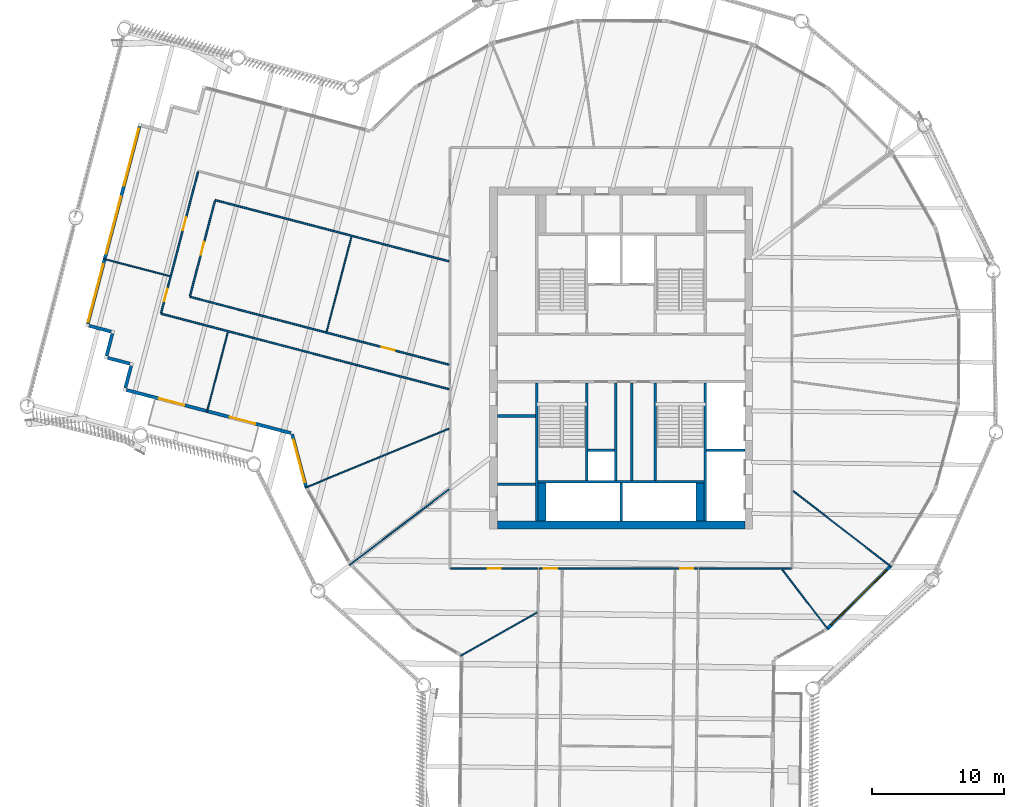
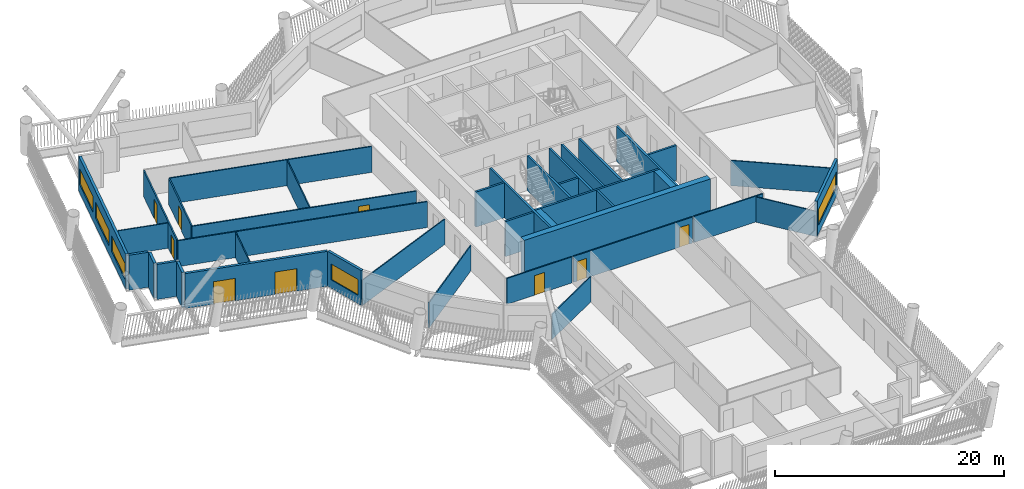
# One storey, part 4 of 21: 39 walls, 9 doors, 5 windows, 14 openings.
"""IFC4 building model written with IfcOpenShell, lengths in metres."""

from ifc_helpers import new_model, si_unit, direction, frame, frame_2d, origin, place, context, subcontext, project, spatial, rectangle, extrude, material, layer, layer_set, type_object, element, fill, save


model = new_model("IFC4")

# Units and contexts
model_context = context("Model", 3, precision=1e-05, world=origin(), true_north=direction((0.0, 1.0)))
body_context = subcontext(model_context, "Body", "Model", "MODEL_VIEW")
ifc_project = project(units=[si_unit("LENGTHUNIT", "METRE"), si_unit("AREAUNIT", "SQUARE_METRE"), si_unit("VOLUMEUNIT", "CUBIC_METRE"), si_unit("PLANEANGLEUNIT", "RADIAN"), si_unit("MASSUNIT", "GRAM", prefix="KILO")], contexts=[model_context])

# Site, building, storey
site_placement = place(None, origin())
site = spatial("IfcSite", under=ifc_project, at=site_placement, CompositionType="ELEMENT")
building_placement = place(site_placement, origin())
building = spatial("IfcBuilding", under=site, at=building_placement, Name="Tarsis Ring Headquarters", CompositionType="ELEMENT")
storey_placement = place(building_placement, frame((0.0, 0.0, 223.800048828125)))
storey = spatial("IfcBuildingStorey", under=building, at=storey_placement, Name="L52", CompositionType="ELEMENT", Elevation=223.800048828125)

# Walls
ifc_material_1 = material(Name="Blockwork", Category="masonry")
ifc_layer_1 = layer(ifc_material_1, 0.199951171875)
ifc_layer_set_1 = layer_set([ifc_layer_1], Name="Core blockwork wall 200")
wall_type_1 = type_object("IfcWallType", Name="Core blockwork wall 200", PredefinedType="PARTITIONING", material=ifc_layer_set_1)
for number, where, z_axis, x_axis, name in (
    (1, (-9.39990234375, -9.60009765625, 0.0), (0.0, 0.0, 1.0), (1.0, 0.0, 0.0), "Core partition WD1"),
    (2, (-9.39990234375, -4.39990234375, 0.0), (0.0, 0.0, 1.0), (1.0, 0.0, 0.0), "Core partition WD3"),
):
    element("IfcWall", number, at=place(storey_placement, frame(where, z_axis=z_axis, x_axis=x_axis)), inside=storey, type_object=wall_type_1, Name=name, PredefinedType="PARTITIONING", context=body_context, shape_type="SweptSolid", body=[
        extrude(rectangle(XDim=2.89990234375, YDim=0.199951171875, at=frame_2d((1.449951171875, 0.0))), origin(), (0.0, 0.0, 1.0), 3.739990234375),
    ])
wall_1_placement = place(storey_placement, frame((-2.5, -7.0, 0.0), z_axis=(0.0, 0.0, 1.0), x_axis=(1.0, 0.0, 0.0)))
element("IfcWall", 3, at=wall_1_placement, inside=storey, type_object=wall_type_1, Name="Core partition SP1", PredefinedType="PARTITIONING", context=body_context, shape_type="SweptSolid", body=[
    extrude(rectangle(XDim=2.0, YDim=0.199951171875, at=frame_2d((1.0, 0.0))), origin(), (0.0, 0.0, 1.0), 3.739990234375),
])
for number, where, z_axis, x_axis, name in (
    (4, (-0.39990234375, -9.300048828125, 0.0), (0.0, 0.0, 1.0), (0.0, 1.0, 0.0), "Core partition SV1"),
    (5, (0.800048828125, -9.300048828125, 0.0), (0.0, 0.0, 1.0), (0.0, 1.0, 0.0), "Core partition SV2"),
):
    element("IfcWall", number, at=place(storey_placement, frame(where, z_axis=z_axis, x_axis=x_axis)), inside=storey, type_object=wall_type_1, Name=name, PredefinedType="PARTITIONING", context=body_context, shape_type="SweptSolid", body=[
        extrude(rectangle(XDim=7.400146484375, YDim=0.199951171875, at=frame_2d((3.7001953125, 0.0))), origin(), (0.0, 0.0, 1.0), 3.739990234375),
    ])
ifc_material_2 = material(Name="Concrete C50/60", Category="concrete")
ifc_layer_2 = layer(ifc_material_2, 0.60009765625)
ifc_layer_set_2 = layer_set([ifc_layer_2], Name="Core wall 600 C50/60")
wall_type_2 = type_object("IfcWallType", Name="Core wall 600 C50/60", PredefinedType="SHEAR", material=ifc_layer_set_2)
wall_2_placement = place(storey_placement, frame((-9.39990234375, -12.699951171875, 0.0), z_axis=(0.0, 0.0, 1.0), x_axis=(1.0, 0.0, 0.0)))
element("IfcWall", 6, at=wall_2_placement, inside=storey, type_object=wall_type_2, Name="Core wall OS", PredefinedType="SHEAR", context=body_context, shape_type="SweptSolid", body=[
    extrude(rectangle(XDim=18.7998046875, YDim=0.60009765625, at=frame_2d((9.39990234375, 0.0))), origin(), (0.0, 0.0, 1.0), 3.739990234375),
])
ifc_material_3 = material(Name="Gypsum board on steel studs", Category="steel")
ifc_layer_3 = layer(ifc_material_3, 0.10009765625)
ifc_layer_set_3 = layer_set([ifc_layer_3], Name="FL partition 100 unrated")
wall_type_3 = type_object("IfcWallType", Name="FL partition 100 unrated", PredefinedType="PARTITIONING", material=ifc_layer_set_3)
wall_3_placement = place(storey_placement, frame((-24.00390625, -9.8544921875, 0.0), z_axis=(0.0, 0.0, 1.0), x_axis=(0.925079846273, 0.379772666235, 0.0)))
element("IfcWall", 7, at=wall_3_placement, inside=storey, type_object=wall_type_3, Name="Partition PW3", PredefinedType="PARTITIONING", context=body_context, shape_type="SweptSolid", body=[
    extrude(rectangle(XDim=11.815185546875, YDim=0.10009765625, at=frame_2d((5.90771484375, 0.0))), origin(), (0.0, 0.0, 1.0), 2.699951171875),
])
wall_4_placement = place(storey_placement, frame((-20.63525390625, -15.731201171875, 0.0), z_axis=(0.0, 0.0, 1.0), x_axis=(0.79526357284, 0.606263844966, 0.0)))
element("IfcWall", 8, at=wall_4_placement, inside=storey, type_object=wall_type_3, Name="Partition PW3", PredefinedType="PARTITIONING", context=body_context, shape_type="SweptSolid", body=[
    extrude(rectangle(XDim=9.500732421875, YDim=0.10009765625, at=frame_2d((4.75048828125, 0.0))), origin(), (0.0, 0.0, 1.0), 2.699951171875),
])
wall_5_placement = place(storey_placement, frame((13.087158203125, -10.107421875, 0.0), z_axis=(0.0, 0.0, 1.0), x_axis=(0.79143158726, -0.611257754705, 0.0)))
element("IfcWall", 9, at=wall_5_placement, inside=storey, type_object=wall_type_3, Name="Partition PW3", PredefinedType="PARTITIONING", context=body_context, shape_type="SweptSolid", body=[
    extrude(rectangle(XDim=9.412109375, YDim=0.10009765625, at=frame_2d((4.7060546875, 0.0))), origin(), (0.0, 0.0, 1.0), 2.699951171875),
])
wall_6_placement = place(storey_placement, frame((-22.3818359375, 2.007568359375, 0.0), z_axis=(0.0, 0.0, 1.0), x_axis=(0.253400955072, 0.967361336817, 0.0)))
element("IfcWall", 10, at=wall_6_placement, inside=storey, type_object=wall_type_3, Name="Partition PW3", PredefinedType="PARTITIONING", context=body_context, shape_type="SweptSolid", body=[
    extrude(rectangle(XDim=7.4599609375, YDim=0.10009765625, at=frame_2d((3.72998046875, 0.0))), origin(), (0.0, 0.0, 1.0), 2.699951171875),
])
wall_7_placement = place(storey_placement, frame((-12.194580078125, -22.635986328125, 0.0), z_axis=(0.0, 0.0, 1.0), x_axis=(0.869772061537, 0.493453707018, 0.0)))
element("IfcWall", 11, at=wall_7_placement, inside=storey, type_object=wall_type_3, Name="Partition PW3", PredefinedType="PARTITIONING", context=body_context, shape_type="SweptSolid", body=[
    extrude(rectangle(XDim=6.673828125, YDim=0.10009765625, at=frame_2d((3.3369140625, 0.0))), origin(), (0.0, 0.0, 1.0), 2.699951171875),
])
wall_8_placement = place(storey_placement, frame((-31.478271484375, -4.106689453125, 0.0), z_axis=(0.0, 0.0, 1.0), x_axis=(0.253433018438, 0.967352937229, 0.0)))
element("IfcWall", 12, at=wall_8_placement, inside=storey, type_object=wall_type_3, Name="Partition PW3", PredefinedType="PARTITIONING", context=body_context, shape_type="SweptSolid", body=[
    extrude(rectangle(XDim=6.280029296875, YDim=0.10009765625, at=frame_2d((3.14013671875, 0.0))), origin(), (0.0, 0.0, 1.0), 2.699951171875),
])
wall_9_placement = place(storey_placement, frame((12.25830078125, -16.07958984375, 0.0), z_axis=(0.0, 0.0, 1.0), x_axis=(0.606255065764, -0.79527026553, 0.0)))
element("IfcWall", 13, at=wall_9_placement, inside=storey, type_object=wall_type_3, Name="Partition PW3", PredefinedType="PARTITIONING", context=body_context, shape_type="SweptSolid", body=[
    extrude(rectangle(XDim=5.728515625, YDim=0.10009765625, at=frame_2d((2.8642578125, 0.0))), origin(), (0.0, 0.0, 1.0), 2.699951171875),
])
wall_10_placement = place(storey_placement, frame((-39.322509765625, 7.541259765625, 0.0), z_axis=(0.0, 0.0, 1.0), x_axis=(0.967358496365, -0.253411798284, 0.0)))
element("IfcWall", 14, at=wall_10_placement, inside=storey, type_object=wall_type_3, Name="Partition PW3", PredefinedType="PARTITIONING", context=body_context, shape_type="SweptSolid", body=[
    extrude(rectangle(XDim=5.18994140625, YDim=0.10009765625, at=frame_2d((2.594970703125, 0.0))), origin(), (0.0, 0.0, 1.0), 2.699951171875),
])

# Wall, opening, door
ifc_layer_4 = layer(ifc_material_3, 0.125)
ifc_layer_set_4 = layer_set([ifc_layer_4], Name="FL partition 125 EI 60 H2770")
wall_type_4 = type_object("IfcWallType", Name="FL partition 125 EI 60 H2770", PredefinedType="PARTITIONING", material=ifc_layer_set_4)
wall_11_placement = place(storey_placement, frame((-12.93994140625, -16.0, 0.0), z_axis=(0.0, 0.0, 1.0), x_axis=(1.0, 0.0, 0.0)))
wall_11 = element("IfcWall", 15, at=wall_11_placement, inside=storey, type_object=wall_type_4, Name="Partition PW1", PredefinedType="PARTITIONING", context=body_context, shape_type="SweptSolid", body=[
    extrude(rectangle(XDim=6.6064453125, YDim=0.125, at=frame_2d((3.30322265625, 0.0))), origin(), (0.0, 0.0, 1.0), 2.77001953125),
])
opening_1_placement = place(wall_11_placement, frame((2.8046875, 0.0, 0.0)))
opening_1 = element("IfcOpeningElement", 16, at=opening_1_placement, cuts=wall_11, Name="Opening D52.16", PredefinedType="OPENING", context=body_context, shape_type="SweptSolid", body=[
    extrude(rectangle(XDim=1.0, YDim=2.10009765625, at=frame_2d((0.5, 1.050048828125))), frame((0.0, 0.072509765625, 0.0), z_axis=(0.0, -1.0, 0.0), x_axis=(1.0, 0.0, 0.0)), (0.0, 0.0, 1.0), 0.14501953125),
])
ifc_material_4 = material(Name="Fire-rated timber door leaf in steel frame", Category="steel")
door_type_1 = type_object("IfcDoorType", Name="FL door FD60-1000", OperationType="NOTDEFINED", PredefinedType="DOOR", material=ifc_material_4)
door_1_placement = place(opening_1_placement, origin())
door_1 = element("IfcDoor", 17, at=door_1_placement, inside=storey, type_object=door_type_1, Name="Door D52.16", OperationType="SINGLE_SWING_RIGHT", OverallHeight=2.10009765625, OverallWidth=1.0, PredefinedType="DOOR", context=body_context, shape_type="SweptSolid", body=[
    extrude(rectangle(XDim=1.0, YDim=2.10009765625, at=frame_2d((0.5, 1.050048828125))), frame((0.0, 0.02490234375, 0.0), z_axis=(0.0, -1.0, 0.0), x_axis=(1.0, 0.0, 0.0)), (0.0, 0.0, 1.0), 0.050048828125),
])
fill(opening_1, door_1)

# Wall, openings, doors
wall_12_placement = place(storey_placement, frame((-6.207763671875, -16.0, 0.0), z_axis=(0.0, 0.0, 1.0), x_axis=(1.0, 0.0, 0.0)))
wall_12 = element("IfcWall", 18, at=wall_12_placement, inside=storey, type_object=wall_type_4, Name="Partition PW1", PredefinedType="PARTITIONING", context=body_context, shape_type="SweptSolid", body=[
    extrude(rectangle(XDim=12.03515625, YDim=0.125, at=frame_2d((6.017578125, 0.0))), origin(), (0.0, 0.0, 1.0), 2.77001953125),
])
opening_2_placement = place(wall_12_placement, frame((0.337646484375, 0.0, 0.0)))
opening_2 = element("IfcOpeningElement", 19, at=opening_2_placement, cuts=wall_12, Name="Opening D52.23", PredefinedType="OPENING", context=body_context, shape_type="SweptSolid", body=[
    extrude(rectangle(XDim=1.0, YDim=2.10009765625, at=frame_2d((0.5, 1.050048828125))), frame((0.0, 0.072509765625, 0.0), z_axis=(0.0, -1.0, 0.0), x_axis=(1.0, 0.0, 0.0)), (0.0, 0.0, 1.0), 0.14501953125),
])
opening_3_placement = place(wall_12_placement, frame((10.6982421875, 0.0, 0.0)))
opening_3 = element("IfcOpeningElement", 20, at=opening_3_placement, cuts=wall_12, Name="Opening D52.24", PredefinedType="OPENING", context=body_context, shape_type="SweptSolid", body=[
    extrude(rectangle(XDim=1.0, YDim=2.10009765625, at=frame_2d((0.5, 1.050048828125))), frame((0.0, 0.072509765625, 0.0), z_axis=(0.0, -1.0, 0.0), x_axis=(1.0, 0.0, 0.0)), (0.0, 0.0, 1.0), 0.14501953125),
])
door_2_placement = place(opening_2_placement, origin())
door_2 = element("IfcDoor", 21, at=door_2_placement, inside=storey, type_object=door_type_1, Name="Door D52.23", OperationType="SINGLE_SWING_LEFT", OverallHeight=2.10009765625, OverallWidth=1.0, PredefinedType="DOOR", context=body_context, shape_type="SweptSolid", body=[
    extrude(rectangle(XDim=1.0, YDim=2.10009765625, at=frame_2d((0.5, 1.050048828125))), frame((0.0, 0.02490234375, 0.0), z_axis=(0.0, -1.0, 0.0), x_axis=(1.0, 0.0, 0.0)), (0.0, 0.0, 1.0), 0.050048828125),
])
fill(opening_2, door_2)
door_3_placement = place(opening_3_placement, origin())
door_3 = element("IfcDoor", 22, at=door_3_placement, inside=storey, type_object=door_type_1, Name="Door D52.24", OperationType="SINGLE_SWING_RIGHT", OverallHeight=2.10009765625, OverallWidth=1.0, PredefinedType="DOOR", context=body_context, shape_type="SweptSolid", body=[
    extrude(rectangle(XDim=1.0, YDim=2.10009765625, at=frame_2d((0.5, 1.050048828125))), frame((0.0, 0.02490234375, 0.0), z_axis=(0.0, -1.0, 0.0), x_axis=(1.0, 0.0, 0.0)), (0.0, 0.0, 1.0), 0.050048828125),
])
fill(opening_3, door_3)

# Walls
wall_13_placement = place(storey_placement, frame((5.952880859375, -16.0, 0.0), z_axis=(0.0, 0.0, 1.0), x_axis=(1.0, 0.0, 0.0)))
element("IfcWall", 23, at=wall_13_placement, inside=storey, type_object=wall_type_4, Name="Partition PW1", PredefinedType="PARTITIONING", context=body_context, shape_type="SweptSolid", body=[
    extrude(rectangle(XDim=6.987060546875, YDim=0.125, at=frame_2d((3.49365234375, 0.0))), origin(), (0.0, 0.0, 1.0), 2.77001953125),
])
wall_14_placement = place(storey_placement, frame((-34.976806640625, 3.3740234375, 0.0), z_axis=(0.0, 0.0, 1.0), x_axis=(0.9673559848, -0.253421385583, 0.0)))
element("IfcWall", 24, at=wall_14_placement, inside=storey, type_object=wall_type_4, Name="Partition PW1", PredefinedType="PARTITIONING", context=body_context, shape_type="SweptSolid", body=[
    extrude(rectangle(XDim=22.638427734375, YDim=0.125, at=frame_2d((11.3193359375, 0.0))), origin(), (0.0, 0.0, 1.0), 2.77001953125),
])

# Wall, opening, door
wall_15_placement = place(storey_placement, frame((-32.779296875, 4.658935546875, 0.0), z_axis=(0.0, 0.0, 1.0), x_axis=(0.967358861183, -0.253410405648, 0.0)))
wall_15 = element("IfcWall", 25, at=wall_15_placement, inside=storey, type_object=wall_type_4, Name="Partition PW1", PredefinedType="PARTITIONING", context=body_context, shape_type="SweptSolid", body=[
    extrude(rectangle(XDim=20.36669921875, YDim=0.125, at=frame_2d((10.183349609375, 0.0))), origin(), (0.0, 0.0, 1.0), 2.77001953125),
])
opening_4_placement = place(wall_15_placement, frame((15.09033203125, 0.0, 0.0)))
opening_4 = element("IfcOpeningElement", 26, at=opening_4_placement, cuts=wall_15, Name="Opening D52.19", PredefinedType="OPENING", context=body_context, shape_type="SweptSolid", body=[
    extrude(rectangle(XDim=1.0, YDim=2.10009765625, at=frame_2d((0.5, 1.050048828125))), frame((0.0, 0.072509765625, 0.0), z_axis=(0.0, -1.0, 0.0), x_axis=(1.0, 0.0, 0.0)), (0.0, 0.0, 1.0), 0.14501953125),
])
door_4_placement = place(opening_4_placement, origin())
door_4 = element("IfcDoor", 27, at=door_4_placement, inside=storey, type_object=door_type_1, Name="Door D52.19", OperationType="SINGLE_SWING_LEFT", OverallHeight=2.10009765625, OverallWidth=1.0, PredefinedType="DOOR", context=body_context, shape_type="SweptSolid", body=[
    extrude(rectangle(XDim=1.0, YDim=2.10009765625, at=frame_2d((0.5, 1.050048828125))), frame((0.0, 0.02490234375, 0.0), z_axis=(0.0, -1.0, 0.0), x_axis=(1.0, 0.0, 0.0)), (0.0, 0.0, 1.0), 0.050048828125),
])
fill(opening_4, door_4)

# Wall
wall_16_placement = place(storey_placement, frame((-30.853515625, 12.010986328125, 0.0), z_axis=(0.0, 0.0, 1.0), x_axis=(0.967354466627, -0.253427180658, 0.0)))
element("IfcWall", 28, at=wall_16_placement, inside=storey, type_object=wall_type_4, Name="Partition PW1", PredefinedType="PARTITIONING", context=body_context, shape_type="SweptSolid", body=[
    extrude(rectangle(XDim=18.3759765625, YDim=0.125, at=frame_2d((9.18798828125, 0.0))), origin(), (0.0, 0.0, 1.0), 2.77001953125),
])

# Wall, openings, doors
wall_17_placement = place(storey_placement, frame((-34.96142578125, 3.431884765625, 0.0), z_axis=(0.0, 0.0, 1.0), x_axis=(0.253412904235, 0.967358206647, 0.0)))
wall_17 = element("IfcWall", 29, at=wall_17_placement, inside=storey, type_object=wall_type_4, Name="Partition PW1", PredefinedType="PARTITIONING", context=body_context, shape_type="SweptSolid", body=[
    extrude(rectangle(XDim=11.080078125, YDim=0.125, at=frame_2d((5.5400390625, 0.0))), origin(), (0.0, 0.0, 1.0), 2.77001953125),
])
opening_5_placement = place(wall_17_placement, frame((0.90673828125, 0.0, 0.0)))
opening_5 = element("IfcOpeningElement", 30, at=opening_5_placement, cuts=wall_17, Name="Opening D52.01", PredefinedType="OPENING", context=body_context, shape_type="SweptSolid", body=[
    extrude(rectangle(XDim=1.0, YDim=2.10009765625, at=frame_2d((0.5, 1.050048828125))), frame((0.0, 0.072509765625, 0.0), z_axis=(0.0, -1.0, 0.0), x_axis=(1.0, 0.0, 0.0)), (0.0, 0.0, 1.0), 0.14501953125),
])
opening_6_placement = place(wall_17_placement, frame((6.506591796875, 0.0, 0.0)))
opening_6 = element("IfcOpeningElement", 31, at=opening_6_placement, cuts=wall_17, Name="Opening D52.02", PredefinedType="OPENING", context=body_context, shape_type="SweptSolid", body=[
    extrude(rectangle(XDim=1.0, YDim=2.10009765625, at=frame_2d((0.5, 1.050048828125))), frame((0.0, 0.072509765625, 0.0), z_axis=(0.0, -1.0, 0.0), x_axis=(1.0, 0.0, 0.0)), (0.0, 0.0, 1.0), 0.14501953125),
])
door_5_placement = place(opening_5_placement, origin())
door_5 = element("IfcDoor", 32, at=door_5_placement, inside=storey, type_object=door_type_1, Name="Door D52.01", OperationType="SINGLE_SWING_LEFT", OverallHeight=2.10009765625, OverallWidth=1.0, PredefinedType="DOOR", context=body_context, shape_type="SweptSolid", body=[
    extrude(rectangle(XDim=1.0, YDim=2.10009765625, at=frame_2d((0.5, 1.050048828125))), frame((0.0, 0.02490234375, 0.0), z_axis=(0.0, -1.0, 0.0), x_axis=(1.0, 0.0, 0.0)), (0.0, 0.0, 1.0), 0.050048828125),
])
fill(opening_5, door_5)
door_6_placement = place(opening_6_placement, origin())
door_6 = element("IfcDoor", 33, at=door_6_placement, inside=storey, type_object=door_type_1, Name="Door D52.02", OperationType="SINGLE_SWING_RIGHT", OverallHeight=2.10009765625, OverallWidth=1.0, PredefinedType="DOOR", context=body_context, shape_type="SweptSolid", body=[
    extrude(rectangle(XDim=1.0, YDim=2.10009765625, at=frame_2d((0.5, 1.050048828125))), frame((0.0, 0.02490234375, 0.0), z_axis=(0.0, -1.0, 0.0), x_axis=(1.0, 0.0, 0.0)), (0.0, 0.0, 1.0), 0.050048828125),
])
fill(opening_6, door_6)

# Wall, opening, door
wall_18_placement = place(storey_placement, frame((-32.76416015625, 4.717041015625, 0.0), z_axis=(0.0, 0.0, 1.0), x_axis=(0.253410298159, 0.967358889341, 0.0)))
wall_18 = element("IfcWall", 34, at=wall_18_placement, inside=storey, type_object=wall_type_4, Name="Partition PW1", PredefinedType="PARTITIONING", context=body_context, shape_type="SweptSolid", body=[
    extrude(rectangle(XDim=7.47998046875, YDim=0.125, at=frame_2d((3.739990234375, 0.0))), origin(), (0.0, 0.0, 1.0), 2.77001953125),
])
opening_7_placement = place(wall_18_placement, frame((3.239990234375, 0.0, 0.0)))
opening_7 = element("IfcOpeningElement", 35, at=opening_7_placement, cuts=wall_18, Name="Opening D52.20", PredefinedType="OPENING", context=body_context, shape_type="SweptSolid", body=[
    extrude(rectangle(XDim=1.0, YDim=2.10009765625, at=frame_2d((0.5, 1.050048828125))), frame((0.0, 0.072509765625, 0.0), z_axis=(0.0, -1.0, 0.0), x_axis=(1.0, 0.0, 0.0)), (0.0, 0.0, 1.0), 0.14501953125),
])
door_7_placement = place(opening_7_placement, origin())
door_7 = element("IfcDoor", 36, at=door_7_placement, inside=storey, type_object=door_type_1, Name="Door D52.20", OperationType="SINGLE_SWING_RIGHT", OverallHeight=2.10009765625, OverallWidth=1.0, PredefinedType="DOOR", context=body_context, shape_type="SweptSolid", body=[
    extrude(rectangle(XDim=1.0, YDim=2.10009765625, at=frame_2d((0.5, 1.050048828125))), frame((0.0, 0.02490234375, 0.0), z_axis=(0.0, -1.0, 0.0), x_axis=(1.0, 0.0, 0.0)), (0.0, 0.0, 1.0), 0.050048828125),
])
fill(opening_7, door_7)

# Wall, openings, doors
ifc_material_5 = material(Name="Terracotta clad insulated panel wall", Category="masonry")
ifc_layer_5 = layer(ifc_material_5, 0.25)
ifc_layer_set_5 = layer_set([ifc_layer_5], Name="Facade wall terracotta panel 250")
wall_type_5 = type_object("IfcWallType", Name="Facade wall terracotta panel 250", PredefinedType="STANDARD", material=ifc_layer_set_5)
wall_19_placement = place(storey_placement, frame((-37.59228515625, -2.427490234375, 0.0), z_axis=(0.0, 0.0, 1.0), x_axis=(0.967351492328, -0.253438533556, 0.0)))
wall_19 = element("IfcWall", 37, at=wall_19_placement, inside=storey, type_object=wall_type_5, Name="External wall L52-01", PredefinedType="STANDARD", context=body_context, shape_type="SweptSolid", body=[
    extrude(rectangle(XDim=12.921875, YDim=0.25, at=frame_2d((6.4609375, 0.0))), origin(), (0.0, 0.0, 1.0), 3.739990234375),
])
opening_8_placement = place(wall_19_placement, frame((2.550048828125, 0.0, 0.0)))
opening_8 = element("IfcOpeningElement", 38, at=opening_8_placement, cuts=wall_19, Name="Opening L52-BD01", PredefinedType="OPENING", context=body_context, shape_type="SweptSolid", body=[
    extrude(rectangle(XDim=2.0, YDim=2.39990234375, at=frame_2d((1.0, 1.199951171875))), frame((0.0, 0.135009765625, 0.0), z_axis=(0.0, -1.0, 0.0), x_axis=(1.0, 0.0, 0.0)), (0.0, 0.0, 1.0), 0.27001953125),
])
opening_9_placement = place(wall_19_placement, frame((8.1220703125, 0.0, 0.0)))
opening_9 = element("IfcOpeningElement", 39, at=opening_9_placement, cuts=wall_19, Name="Opening L52-BD02", PredefinedType="OPENING", context=body_context, shape_type="SweptSolid", body=[
    extrude(rectangle(XDim=2.0, YDim=2.39990234375, at=frame_2d((1.0, 1.199951171875))), frame((0.0, 0.135009765625, 0.0), z_axis=(0.0, -1.0, 0.0), x_axis=(1.0, 0.0, 0.0)), (0.0, 0.0, 1.0), 0.27001953125),
])
ifc_material_6 = material(Name="Aluminium framed double glazing", Category="aluminium")
door_type_2 = type_object("IfcDoorType", Name="Balcony sliding door 2000 x 2400", OperationType="SLIDING_TO_LEFT", PredefinedType="DOOR", material=ifc_material_6)
door_8_placement = place(opening_8_placement, origin())
door_8 = element("IfcDoor", 40, at=door_8_placement, inside=storey, type_object=door_type_2, Name="Door L52-BD01", OperationType="SINGLE_SWING_LEFT", OverallHeight=2.39990234375, OverallWidth=2.0, PredefinedType="DOOR", context=body_context, shape_type="SweptSolid", body=[
    extrude(rectangle(XDim=2.0, YDim=2.39990234375, at=frame_2d((1.0, 1.199951171875))), frame((0.0, 0.02490234375, 0.0), z_axis=(0.0, -1.0, 0.0), x_axis=(1.0, 0.0, 0.0)), (0.0, 0.0, 1.0), 0.050048828125),
])
fill(opening_8, door_8)
door_9_placement = place(opening_9_placement, origin())
door_9 = element("IfcDoor", 41, at=door_9_placement, inside=storey, type_object=door_type_2, Name="Door L52-BD02", OperationType="SINGLE_SWING_LEFT", OverallHeight=2.39990234375, OverallWidth=2.0, PredefinedType="DOOR", context=body_context, shape_type="SweptSolid", body=[
    extrude(rectangle(XDim=2.0, YDim=2.39990234375, at=frame_2d((1.0, 1.199951171875))), frame((0.0, 0.02490234375, 0.0), z_axis=(0.0, -1.0, 0.0), x_axis=(1.0, 0.0, 0.0)), (0.0, 0.0, 1.0), 0.050048828125),
])
fill(opening_9, door_9)

# Wall, opening, window
wall_20_placement = place(storey_placement, frame((-25.0029296875, -5.791259765625, 0.0), z_axis=(0.0, 0.0, 1.0), x_axis=(0.255735995576, -0.966746657903, 0.0)))
wall_20 = element("IfcWall", 42, at=wall_20_placement, inside=storey, type_object=wall_type_5, Name="External wall L52-02", PredefinedType="STANDARD", context=body_context, shape_type="SweptSolid", body=[
    extrude(rectangle(XDim=4.157470703125, YDim=0.25, at=frame_2d((2.07861328125, 0.0))), origin(), (0.0, 0.0, 1.0), 3.739990234375),
])
opening_10_placement = place(wall_20_placement, frame((0.420166015625, 0.0, 0.89990234375)))
opening_10 = element("IfcOpeningElement", 43, at=opening_10_placement, cuts=wall_20, Name="Opening WN01", PredefinedType="OPENING", context=body_context, shape_type="SweptSolid", body=[
    extrude(rectangle(XDim=3.35009765625, YDim=1.699951171875, at=frame_2d((1.675048828125, 0.85009765625))), frame((0.0, 0.135009765625, 0.0), z_axis=(0.0, -1.0, 0.0), x_axis=(1.0, 0.0, 0.0)), (0.0, 0.0, 1.0), 0.27001953125),
])
window_type_1 = type_object("IfcWindowType", Name="Facade window 3350 x 1700", PartitioningType="SINGLE_PANEL", PredefinedType="WINDOW", material=ifc_material_6)
window_1_placement = place(opening_10_placement, origin())
window_1 = element("IfcWindow", 44, at=window_1_placement, inside=storey, type_object=window_type_1, Name="Window L52-02.1", OverallHeight=1.699951171875, OverallWidth=3.35009765625, PartitioningType="SINGLE_PANEL", PredefinedType="WINDOW", context=body_context, shape_type="SweptSolid", body=[
    extrude(rectangle(XDim=3.35009765625, YDim=1.699951171875, at=frame_2d((1.675048828125, 0.85009765625))), frame((0.0, 0.030029296875, 0.0), z_axis=(0.0, -1.0, 0.0), x_axis=(1.0, 0.0, 0.0)), (0.0, 0.0, 1.0), 0.06005859375),
])
fill(opening_10, window_1)

wall_21_placement = place(storey_placement, frame((15.6982421875, -20.56494140625, 0.0), z_axis=(0.0, 0.0, 1.0), x_axis=(0.709319023586, 0.704887595847, 0.0)))
wall_21 = element("IfcWall", 45, at=wall_21_placement, inside=storey, type_object=wall_type_5, Name="External wall L52-18", PredefinedType="STANDARD", context=body_context, shape_type="SweptSolid", body=[
    extrude(rectangle(XDim=6.721435546875, YDim=0.25, at=frame_2d((3.36083984375, 0.0))), origin(), (0.0, 0.0, 1.0), 3.739990234375),
])
opening_11_placement = place(wall_21_placement, frame((0.3857421875, 0.0, 0.89990234375)))
opening_11 = element("IfcOpeningElement", 46, at=opening_11_placement, cuts=wall_21, Name="Opening WN07", PredefinedType="OPENING", context=body_context, shape_type="SweptSolid", body=[
    extrude(rectangle(XDim=5.949951171875, YDim=1.699951171875, at=frame_2d((2.97509765625, 0.85009765625))), frame((0.0, 0.135009765625, 0.0), z_axis=(0.0, -1.0, 0.0), x_axis=(1.0, 0.0, 0.0)), (0.0, 0.0, 1.0), 0.27001953125),
])
window_type_2 = type_object("IfcWindowType", Name="Facade window 5950 x 1700", PartitioningType="SINGLE_PANEL", PredefinedType="WINDOW", material=ifc_material_6)
window_2_placement = place(opening_11_placement, origin())
window_2 = element("IfcWindow", 47, at=window_2_placement, inside=storey, type_object=window_type_2, Name="Window L52-18.1", OverallHeight=1.699951171875, OverallWidth=5.949951171875, PartitioningType="SINGLE_PANEL", PredefinedType="WINDOW", context=body_context, shape_type="SweptSolid", body=[
    extrude(rectangle(XDim=5.949951171875, YDim=1.699951171875, at=frame_2d((2.97509765625, 0.85009765625))), frame((0.0, 0.030029296875, 0.0), z_axis=(0.0, -1.0, 0.0), x_axis=(1.0, 0.0, 0.0)), (0.0, 0.0, 1.0), 0.06005859375),
])
fill(opening_11, window_2)

# Wall, openings, windows
wall_22_placement = place(storey_placement, frame((-36.609375, 17.60205078125, 0.0), z_axis=(0.0, 0.0, 1.0), x_axis=(-0.253420106347, -0.967356319925, 0.0)))
wall_22 = element("IfcWall", 48, at=wall_22_placement, inside=storey, type_object=wall_type_5, Name="External wall L52-36", PredefinedType="STANDARD", context=body_context, shape_type="SweptSolid", body=[
    extrude(rectangle(XDim=15.499755859375, YDim=0.25, at=frame_2d((7.75, 0.0))), origin(), (0.0, 0.0, 1.0), 3.739990234375),
])
opening_12_placement = place(wall_22_placement, frame((0.166748046875, 0.0, 0.89990234375)))
opening_12 = element("IfcOpeningElement", 49, at=opening_12_placement, cuts=wall_22, Name="Opening WN04", PredefinedType="OPENING", context=body_context, shape_type="SweptSolid", body=[
    extrude(rectangle(XDim=4.5, YDim=1.699951171875, at=frame_2d((2.25, 0.85009765625))), frame((0.0, 0.135009765625, 0.0), z_axis=(0.0, -1.0, 0.0), x_axis=(1.0, 0.0, 0.0)), (0.0, 0.0, 1.0), 0.27001953125),
])
opening_13_placement = place(wall_22_placement, frame((5.5, 0.0, 0.89990234375)))
opening_13 = element("IfcOpeningElement", 50, at=opening_13_placement, cuts=wall_22, Name="Opening WN04", PredefinedType="OPENING", context=body_context, shape_type="SweptSolid", body=[
    extrude(rectangle(XDim=4.5, YDim=1.699951171875, at=frame_2d((2.25, 0.85009765625))), frame((0.0, 0.135009765625, 0.0), z_axis=(0.0, -1.0, 0.0), x_axis=(1.0, 0.0, 0.0)), (0.0, 0.0, 1.0), 0.27001953125),
])
opening_14_placement = place(wall_22_placement, frame((10.833251953125, 0.0, 0.89990234375)))
opening_14 = element("IfcOpeningElement", 51, at=opening_14_placement, cuts=wall_22, Name="Opening WN04", PredefinedType="OPENING", context=body_context, shape_type="SweptSolid", body=[
    extrude(rectangle(XDim=4.5, YDim=1.699951171875, at=frame_2d((2.25, 0.85009765625))), frame((0.0, 0.135009765625, 0.0), z_axis=(0.0, -1.0, 0.0), x_axis=(1.0, 0.0, 0.0)), (0.0, 0.0, 1.0), 0.27001953125),
])
window_type_3 = type_object("IfcWindowType", Name="Facade window 4500 x 1700", PartitioningType="SINGLE_PANEL", PredefinedType="WINDOW", material=ifc_material_6)
window_3_placement = place(opening_12_placement, origin())
window_3 = element("IfcWindow", 52, at=window_3_placement, inside=storey, type_object=window_type_3, Name="Window L52-36.1", OverallHeight=1.699951171875, OverallWidth=4.5, PartitioningType="SINGLE_PANEL", PredefinedType="WINDOW", context=body_context, shape_type="SweptSolid", body=[
    extrude(rectangle(XDim=4.5, YDim=1.699951171875, at=frame_2d((2.25, 0.85009765625))), frame((0.0, 0.030029296875, 0.0), z_axis=(0.0, -1.0, 0.0), x_axis=(1.0, 0.0, 0.0)), (0.0, 0.0, 1.0), 0.06005859375),
])
fill(opening_12, window_3)
window_4_placement = place(opening_13_placement, origin())
window_4 = element("IfcWindow", 53, at=window_4_placement, inside=storey, type_object=window_type_3, Name="Window L52-36.2", OverallHeight=1.699951171875, OverallWidth=4.5, PartitioningType="SINGLE_PANEL", PredefinedType="WINDOW", context=body_context, shape_type="SweptSolid", body=[
    extrude(rectangle(XDim=4.5, YDim=1.699951171875, at=frame_2d((2.25, 0.85009765625))), frame((0.0, 0.030029296875, 0.0), z_axis=(0.0, -1.0, 0.0), x_axis=(1.0, 0.0, 0.0)), (0.0, 0.0, 1.0), 0.06005859375),
])
fill(opening_13, window_4)
window_5_placement = place(opening_14_placement, origin())
window_5 = element("IfcWindow", 54, at=window_5_placement, inside=storey, type_object=window_type_3, Name="Window L52-36.3", OverallHeight=1.699951171875, OverallWidth=4.5, PartitioningType="SINGLE_PANEL", PredefinedType="WINDOW", context=body_context, shape_type="SweptSolid", body=[
    extrude(rectangle(XDim=4.5, YDim=1.699951171875, at=frame_2d((2.25, 0.85009765625))), frame((0.0, 0.030029296875, 0.0), z_axis=(0.0, -1.0, 0.0), x_axis=(1.0, 0.0, 0.0)), (0.0, 0.0, 1.0), 0.06005859375),
])
fill(opening_14, window_5)

# Walls
for number, where, z_axis, x_axis, name in (
    (55, (-40.447998046875, 2.45556640625, 0.0), (0.0, 0.0, 1.0), (0.967339651485, -0.253483724654, 0.0), "External wall L52-37"),
    (56, (-38.666015625, 1.859375, 0.0), (0.0, 0.0, 1.0), (-0.253353174867, -0.967373851613, 0.0), "External wall L52-38"),
    (57, (-39.020263671875, 0.013916015625, 0.0), (0.0, 0.0, 1.0), (0.967373851613, -0.253353174867, 0.0), "External wall L52-39"),
    (58, (-37.238037109375, -0.58203125, 0.0), (0.0, 0.0, 1.0), (-0.253483724654, -0.967339651485, 0.0), "External wall L52-40"),
):
    element("IfcWall", number, at=place(storey_placement, frame(where, z_axis=z_axis, x_axis=x_axis)), inside=storey, type_object=wall_type_5, Name=name, PredefinedType="STANDARD", context=body_context, shape_type="SweptSolid", body=[
        extrude(rectangle(XDim=1.75, YDim=0.25, at=frame_2d((0.875, 0.0))), origin(), (0.0, 0.0, 1.0), 3.739990234375),
    ])
ifc_material_7 = material(Name="Concrete C32/40", Category="concrete")
ifc_layer_6 = layer(ifc_material_7, 0.60009765625)
ifc_layer_set_6 = layer_set([ifc_layer_6], Name="Shaft end wall 600 C32/40")
wall_type_6 = type_object("IfcWallType", Name="Shaft end wall 600 C32/40", PredefinedType="SOLIDWALL", material=ifc_layer_set_6)
for number, where, z_axis, x_axis, name in (
    (59, (-6.0, -12.39990234375, 0.0), (0.0, 0.0, 1.0), (0.0, 1.0, 0.0), "Core shaft wall SNE1"),
    (60, (6.0, -12.39990234375, 0.0), (0.0, 0.0, 1.0), (0.0, 1.0, 0.0), "Core shaft wall SNE2"),
):
    element("IfcWall", number, at=place(storey_placement, frame(where, z_axis=z_axis, x_axis=x_axis)), inside=storey, type_object=wall_type_6, Name=name, PredefinedType="SOLIDWALL", context=body_context, shape_type="SweptSolid", body=[
        extrude(rectangle(XDim=2.89990234375, YDim=0.60009765625, at=frame_2d((1.449951171875, 0.0))), origin(), (0.0, 0.0, 1.0), 3.739990234375),
    ])
ifc_layer_7 = layer(ifc_material_7, 0.199951171875)
ifc_layer_set_7 = layer_set([ifc_layer_7], Name="Shaft wall 200 C32/40")
wall_type_7 = type_object("IfcWallType", Name="Shaft wall 200 C32/40", PredefinedType="SOLIDWALL", material=ifc_layer_set_7)
for number, where, z_axis, x_axis, name in (
    (61, (-6.39990234375, -12.39990234375, 0.0), (0.0, 0.0, 1.0), (0.0, 1.0, 0.0), "Core shaft wall WB1"),
    (62, (6.39990234375, -12.39990234375, 0.0), (0.0, 0.0, 1.0), (0.0, 1.0, 0.0), "Core shaft wall EB1"),
):
    element("IfcWall", number, at=place(storey_placement, frame(where, z_axis=z_axis, x_axis=x_axis)), inside=storey, type_object=wall_type_7, Name=name, PredefinedType="SOLIDWALL", context=body_context, shape_type="SweptSolid", body=[
        extrude(rectangle(XDim=10.5, YDim=0.199951171875, at=frame_2d((5.25, 0.0))), origin(), (0.0, 0.0, 1.0), 3.739990234375),
    ])
wall_23_placement = place(storey_placement, frame((-6.300048828125, -9.39990234375, 0.0), z_axis=(0.0, 0.0, 1.0), x_axis=(1.0, 0.0, 0.0)))
element("IfcWall", 63, at=wall_23_placement, inside=storey, type_object=wall_type_7, Name="Core shaft wall SB", PredefinedType="SOLIDWALL", context=body_context, shape_type="SweptSolid", body=[
    extrude(rectangle(XDim=12.60009765625, YDim=0.199951171875, at=frame_2d((6.300048828125, 0.0))), origin(), (0.0, 0.0, 1.0), 3.739990234375),
])
for number, where, z_axis, x_axis, name in (
    (64, (-2.60009765625, -9.300048828125, 0.0), (0.0, 0.0, 1.0), (0.0, 1.0, 0.0), "Core shaft wall SW3"),
    (65, (2.60009765625, -9.300048828125, 0.0), (0.0, 0.0, 1.0), (0.0, 1.0, 0.0), "Core shaft wall SW4"),
):
    element("IfcWall", number, at=place(storey_placement, frame(where, z_axis=z_axis, x_axis=x_axis)), inside=storey, type_object=wall_type_7, Name=name, PredefinedType="SOLIDWALL", context=body_context, shape_type="SweptSolid", body=[
        extrude(rectangle(XDim=7.400146484375, YDim=0.199951171875, at=frame_2d((3.7001953125, 0.0))), origin(), (0.0, 0.0, 1.0), 3.739990234375),
    ])
for number, where, z_axis, x_axis, name in (
    (66, (6.5, -7.0, 0.0), (0.0, 0.0, 1.0), (1.0, 0.0, 0.0), "Core shaft wall ED2"),
    (67, (0.0, -12.39990234375, 0.0), (0.0, 0.0, 1.0), (0.0, 1.0, 0.0), "Core shaft wall SD2"),
):
    element("IfcWall", number, at=place(storey_placement, frame(where, z_axis=z_axis, x_axis=x_axis)), inside=storey, type_object=wall_type_7, Name=name, PredefinedType="SOLIDWALL", context=body_context, shape_type="SweptSolid", body=[
        extrude(rectangle(XDim=2.89990234375, YDim=0.199951171875, at=frame_2d((1.449951171875, 0.0))), origin(), (0.0, 0.0, 1.0), 3.739990234375),
    ])

save(model, "model.ifc")
